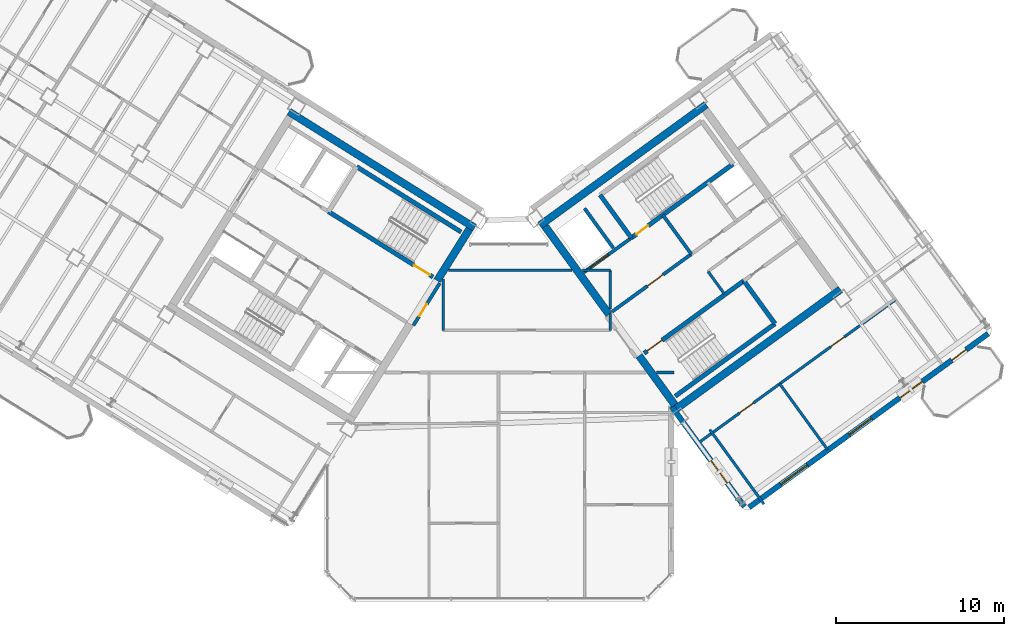
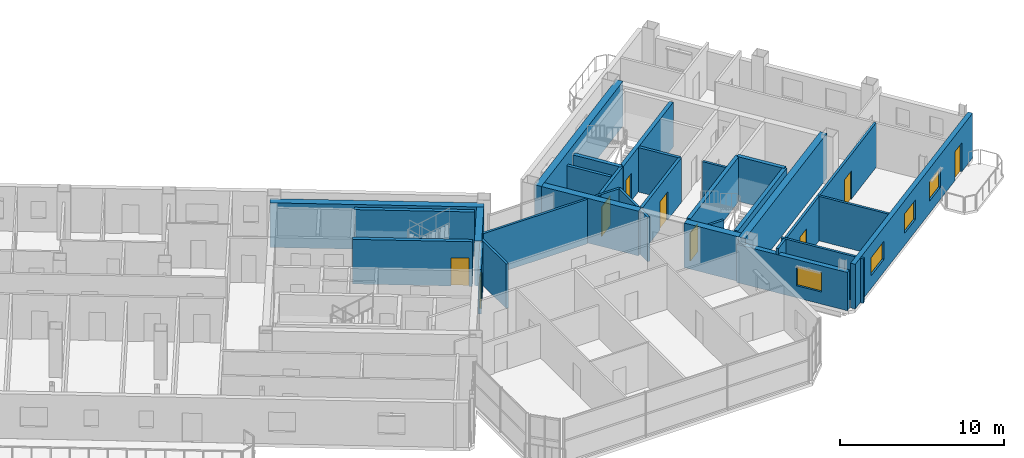
# One storey, part 19 of 27: 30 walls, 9 doors, 4 windows, 13 openings.
"""IFC4 building model written with IfcOpenShell, lengths in metres."""

from ifc_helpers import new_model, si_unit, direction, frame, frame_2d, origin, place, context, subcontext, project, spatial, rectangle, extrude, source, transform, mapped, material, layer, layer_set, type_object, element, fill, save


model = new_model("IFC4")

# Units and contexts
model_context = context("Model", 3, precision=1e-05, world=origin(), true_north=direction((0.0, 1.0)))
body_context = subcontext(model_context, "Body", "Model", "MODEL_VIEW")
ifc_project = project(units=[si_unit("LENGTHUNIT", "METRE"), si_unit("AREAUNIT", "SQUARE_METRE"), si_unit("VOLUMEUNIT", "CUBIC_METRE"), si_unit("PLANEANGLEUNIT", "RADIAN"), si_unit("MASSUNIT", "GRAM", prefix="KILO")], contexts=[model_context])

# Site, building, storey
site_placement = place(None, origin())
site = spatial("IfcSite", under=ifc_project, at=site_placement, CompositionType="ELEMENT")
building_placement = place(site_placement, origin())
building = spatial("IfcBuilding", under=site, at=building_placement, Name="Tlacorven Tower", CompositionType="ELEMENT")
storey_placement = place(building_placement, frame((0.0, 0.0, 242.10009765625)))
storey = spatial("IfcBuildingStorey", under=building, at=storey_placement, Name="L61", CompositionType="ELEMENT", Elevation=242.10009765625)

# Walls
ifc_material_1 = material(Name="Concrete C50/60", Category="concrete")
ifc_layer_1 = layer(ifc_material_1, 0.449951171875)
ifc_layer_set_1 = layer_set([ifc_layer_1], Name="Concrete C50/60")
wall_type_1 = type_object("IfcWallType", Name="WL-COR-450", PredefinedType="SHEAR", material=ifc_layer_set_1)
wall_1_placement = place(storey_placement, frame((40.53076171875, 24.036376953125, 0.0), z_axis=(0.0, 0.0, 1.0), x_axis=(-0.848048787466, 0.529918157905, 0.0)))
element("IfcWall", 1, at=wall_1_placement, inside=storey, type_object=wall_type_1, Name="L61 W core shear wall S1", PredefinedType="SHEAR", context=body_context, shape_type="SweptSolid", body=[
    extrude(rectangle(XDim=13.0400390625, YDim=0.449951171875, at=frame_2d((6.52001953125, 0.0))), origin(), (0.0, 0.0, 1.0), 3.31982421875),
])
wall_2_placement = place(storey_placement, frame((40.220703125, 23.96484375, 0.0), z_axis=(0.0, 0.0, 1.0), x_axis=(-0.529902075036, -0.848058836916, 0.0)))
element("IfcWall", 2, at=wall_2_placement, inside=storey, type_object=wall_type_1, Name="L61 W core end wall E1.1", PredefinedType="SHEAR", context=body_context, shape_type="SweptSolid", body=[
    extrude(rectangle(XDim=3.625, YDim=0.449951171875, at=frame_2d((1.8125, 0.0))), origin(), (0.0, 0.0, 1.0), 3.31982421875),
])
for number, where, z_axis, x_axis, name in (
    (3, (52.3994140625, 13.169189453125, 0.0), (0.0, 0.0, 1.0), (0.809022352778, 0.587777877013, 0.0), "L61 E core shear wall S1"),
    (4, (44.405517578125, 24.171630859375, 0.0), (0.0, 0.0, 1.0), (0.809012867805, 0.587790931986, 0.0), "L61 E core shear wall S2"),
):
    element("IfcWall", number, at=place(storey_placement, frame(where, z_axis=z_axis, x_axis=x_axis)), inside=storey, type_object=wall_type_1, Name=name, PredefinedType="SHEAR", context=body_context, shape_type="SweptSolid", body=[
        extrude(rectangle(XDim=12.239990234375, YDim=0.449951171875, at=frame_2d((6.1201171875, 0.0))), origin(), (0.0, 0.0, 1.0), 3.31982421875),
    ])
wall_3_placement = place(storey_placement, frame((52.44921875, 13.4833984375, 0.0), z_axis=(0.0, 0.0, 1.0), x_axis=(-0.587819244441, 0.808992296542, 0.0)))
element("IfcWall", 5, at=wall_3_placement, inside=storey, type_object=wall_type_1, Name="L61 E core end wall E1.1", PredefinedType="SHEAR", context=body_context, shape_type="SweptSolid", body=[
    extrude(rectangle(XDim=3.625, YDim=0.449951171875, at=frame_2d((1.8125, 0.0))), origin(), (0.0, 0.0, 1.0), 3.31982421875),
])
wall_4_placement = place(storey_placement, frame((48.525634765625, 18.883544921875, 0.0), z_axis=(0.0, 0.0, 1.0), x_axis=(-0.587774812919, 0.809024578921, 0.0)))
element("IfcWall", 6, at=wall_4_placement, inside=storey, type_object=wall_type_1, Name="L61 E core end wall E1.2", PredefinedType="SHEAR", context=body_context, shape_type="SweptSolid", body=[
    extrude(rectangle(XDim=6.47509765625, YDim=0.449951171875, at=frame_2d((3.237548828125, 0.0))), origin(), (0.0, 0.0, 1.0), 3.31982421875),
])
ifc_material_2 = material(Name="Gypsum plasterboard acoustic partition", Category="gypsum")
ifc_layer_2 = layer(ifc_material_2, 0.159912109375)
ifc_layer_set_2 = layer_set([ifc_layer_2], Name="Gypsum plasterboard acoustic partition")
wall_type_2 = type_object("IfcWallType", Name="WL-DEM-160", PredefinedType="PARTITIONING", material=ifc_layer_set_2)
wall_5_placement = place(storey_placement, frame((55.390869140625, 20.1015625, 0.0), z_axis=(0.0, 0.0, 1.0), x_axis=(-0.58778447739, 0.809017557374, 0.0)))
element("IfcWall", 7, at=wall_5_placement, inside=storey, type_object=wall_type_2, Name="L61 partition 32", PredefinedType="PARTITIONING", context=body_context, shape_type="SweptSolid", body=[
    extrude(rectangle(XDim=1.64990234375, YDim=0.159912109375, at=frame_2d((0.824951171875, 0.0))), origin(), (0.0, 0.0, 1.0), 3.309814453125),
])
wall_6_placement = place(storey_placement, frame((51.353515625, 15.419921875, 0.0), z_axis=(0.0, 0.0, 1.0), x_axis=(1.0, 0.0, 0.0)))
element("IfcWall", 8, at=wall_6_placement, inside=storey, type_object=wall_type_2, Name="L61 Knuckle Corridor South Wall", PredefinedType="PARTITIONING", context=body_context, shape_type="SweptSolid", body=[
    extrude(rectangle(XDim=1.04638671875, YDim=0.159912109375, at=frame_2d((0.523193359375, 0.0))), origin(), (0.0, 0.0, 1.0), 3.309814453125),
])
wall_7_placement = place(storey_placement, frame((38.64990234375, 17.929931640625, 0.0), z_axis=(0.0, 0.0, 1.0), x_axis=(0.0, 1.0, 0.0)))
element("IfcWall", 9, at=wall_7_placement, inside=storey, type_object=wall_type_2, Name="L61 partition 66", PredefinedType="PARTITIONING", context=body_context, shape_type="SweptSolid", body=[
    extrude(rectangle(XDim=3.045654296875, YDim=0.159912109375, at=frame_2d((1.52294921875, 0.0))), origin(), (0.0, 0.0, 1.0), 3.309814453125),
])
wall_8_placement = place(storey_placement, frame((48.60009765625, 17.929931640625, 0.0), z_axis=(0.0, 0.0, 1.0), x_axis=(0.0, 1.0, 0.0)))
element("IfcWall", 10, at=wall_8_placement, inside=storey, type_object=wall_type_2, Name="L61 partition 67", PredefinedType="PARTITIONING", context=body_context, shape_type="SweptSolid", body=[
    extrude(rectangle(XDim=0.99267578125, YDim=0.159912109375, at=frame_2d((0.496337890625, 0.0))), origin(), (0.0, 0.0, 1.0), 3.309814453125),
])
wall_9_placement = place(storey_placement, frame((48.60009765625, 19.2099609375, 0.0), z_axis=(0.0, 0.0, 1.0), x_axis=(0.0, 1.0, 0.0)))
element("IfcWall", 11, at=wall_9_placement, inside=storey, type_object=wall_type_2, Name="L61 partition 67", PredefinedType="PARTITIONING", context=body_context, shape_type="SweptSolid", body=[
    extrude(rectangle(XDim=2.2900390625, YDim=0.159912109375, at=frame_2d((1.14501953125, 0.0))), origin(), (0.0, 0.0, 1.0), 3.309814453125),
])
wall_10_placement = place(storey_placement, frame((38.9775390625, 21.5, 0.0), z_axis=(0.0, 0.0, 1.0), x_axis=(1.0, 0.0, 0.0)))
element("IfcWall", 12, at=wall_10_placement, inside=storey, type_object=wall_type_2, Name="L61 partition 68", PredefinedType="PARTITIONING", context=body_context, shape_type="SweptSolid", body=[
    extrude(rectangle(XDim=7.335693359375, YDim=0.159912109375, at=frame_2d((3.66796875, 0.0))), origin(), (0.0, 0.0, 1.0), 3.309814453125),
])
wall_11_placement = place(storey_placement, frame((46.936279296875, 21.5, 0.0), z_axis=(0.0, 0.0, 1.0), x_axis=(1.0, 0.0, 0.0)))
element("IfcWall", 13, at=wall_11_placement, inside=storey, type_object=wall_type_2, Name="L61 partition 68", PredefinedType="PARTITIONING", context=body_context, shape_type="SweptSolid", body=[
    extrude(rectangle(XDim=1.663818359375, YDim=0.159912109375, at=frame_2d((0.83203125, 0.0))), origin(), (0.0, 0.0, 1.0), 3.309814453125),
])

# Wall, openings, doors
wall_12_placement = place(storey_placement, frame((53.70458984375, 11.1259765625, 0.0), z_axis=(0.0, 0.0, 1.0), x_axis=(0.809014504436, 0.587788679384, 0.0)))
wall_12 = element("IfcWall", 14, at=wall_12_placement, inside=storey, type_object=wall_type_2, Name="L61 partition 88", PredefinedType="PARTITIONING", context=body_context, shape_type="SweptSolid", body=[
    extrude(rectangle(XDim=14.669921875, YDim=0.159912109375, at=frame_2d((7.3349609375, 0.0))), origin(), (0.0, 0.0, 1.0), 3.309814453125),
])
opening_1_placement = place(wall_12_placement, frame((3.215087890625, 0.0, 0.0)))
opening_1 = element("IfcOpeningElement", 15, at=opening_1_placement, cuts=wall_12, Name="Opening D11", PredefinedType="OPENING", context=body_context, shape_type="SweptSolid", body=[
    extrude(rectangle(XDim=1.0, YDim=2.10009765625, at=frame_2d((0.5, 1.050048828125))), frame((0.0, 0.08984375, 0.0), z_axis=(0.0, -1.0, 0.0), x_axis=(1.0, 0.0, 0.0)), (0.0, 0.0, 1.0), 0.179931640625),
])
opening_2_placement = place(wall_12_placement, frame((9.9150390625, 0.0, 0.0)))
opening_2 = element("IfcOpeningElement", 16, at=opening_2_placement, cuts=wall_12, Name="Opening D11", PredefinedType="OPENING", context=body_context, shape_type="SweptSolid", body=[
    extrude(rectangle(XDim=1.0, YDim=2.10009765625, at=frame_2d((0.5, 1.050048828125))), frame((0.0, 0.08984375, 0.0), z_axis=(0.0, -1.0, 0.0), x_axis=(1.0, 0.0, 0.0)), (0.0, 0.0, 1.0), 0.179931640625),
])
ifc_material_3 = material(Name="Fire-rated steel door assembly", Category="steel")
door_type_1 = type_object("IfcDoorType", Name="DR-FLT-FD60-1000", OperationType="NOTDEFINED", PredefinedType="DOOR", material=ifc_material_3)
shared_shape_1 = source(origin(), body_context, "Body", "SweptSolid", [
    extrude(rectangle(XDim=1.0, YDim=2.10009765625, at=frame_2d((0.5, 1.050048828125))), frame((0.0, 0.02490234375, 0.0), z_axis=(0.0, -1.0, 0.0), x_axis=(1.0, 0.0, 0.0)), (0.0, 0.0, 1.0), 0.050048828125),
])
door_1_placement = place(opening_1_placement, origin())
door_1 = element("IfcDoor", 17, at=door_1_placement, inside=storey, type_object=door_type_1, Name="L61 door 060", OperationType="SINGLE_SWING_RIGHT", OverallHeight=2.10009765625, OverallWidth=1.0, PredefinedType="DOOR", context=body_context, shape_type="MappedRepresentation", body=[
    mapped(shared_shape_1, transform((0.0, 0.0, 0.0), scale=1.0)),
])
fill(opening_1, door_1)
door_2_placement = place(opening_2_placement, origin())
door_2 = element("IfcDoor", 18, at=door_2_placement, inside=storey, type_object=door_type_1, Name="L61 door 061", OperationType="SINGLE_SWING_LEFT", OverallHeight=2.10009765625, OverallWidth=1.0, PredefinedType="DOOR", context=body_context, shape_type="MappedRepresentation", body=[
    mapped(shared_shape_1, transform((0.0, 0.0, 0.0), scale=1.0)),
])
fill(opening_2, door_2)

# Walls
wall_13_placement = place(storey_placement, frame((57.747314453125, 7.586181640625, 0.0), z_axis=(0.0, 0.0, 1.0), x_axis=(-0.587784893399, 0.809017255126, 0.0)))
element("IfcWall", 19, at=wall_13_placement, inside=storey, type_object=wall_type_2, Name="L61 EC West Throat Wall", PredefinedType="PARTITIONING", context=body_context, shape_type="SweptSolid", body=[
    extrude(rectangle(XDim=5.480224609375, YDim=0.159912109375, at=frame_2d((2.740234375, 0.0))), origin(), (0.0, 0.0, 1.0), 3.309814453125),
])
wall_14_placement = place(storey_placement, frame((61.538818359375, 10.822998046875, 0.0), z_axis=(0.0, 0.0, 1.0), x_axis=(-0.587785532001, 0.809016791155, 0.0)))
element("IfcWall", 20, at=wall_14_placement, inside=storey, type_object=wall_type_2, Name="L61 EC Demising Wall 1", PredefinedType="PARTITIONING", context=body_context, shape_type="SweptSolid", body=[
    extrude(rectangle(XDim=4.85009765625, YDim=0.159912109375, at=frame_2d((2.425048828125, 0.0))), origin(), (0.0, 0.0, 1.0), 3.309814453125),
])

# Wall, openings, door, windows
ifc_material_4 = material(Name="Precast concrete C45/55", Category="concrete")
ifc_layer_3 = layer(ifc_material_4, 0.320068359375)
ifc_layer_set_3 = layer_set([ifc_layer_3], Name="Precast concrete C45/55")
wall_type_3 = type_object("IfcWallType", Name="WL-EXT-320", PredefinedType="STANDARD", material=ifc_layer_set_3)
wall_15_placement = place(storey_placement, frame((71.097900390625, 17.73095703125, 0.0), z_axis=(0.0, 0.0, 1.0), x_axis=(-0.809021120468, -0.587779573171, 0.0)))
wall_15 = element("IfcWall", 21, at=wall_15_placement, inside=storey, type_object=wall_type_3, Name="L61 Masonry-Frame Recessed Facade Wall 6", PredefinedType="STANDARD", context=body_context, shape_type="SweptSolid", body=[
    extrude(rectangle(XDim=17.587646484375, YDim=0.320068359375, at=frame_2d((8.7939453125, 0.0))), origin(), (0.0, 0.0, 1.0), 3.31982421875),
])
opening_3_placement = place(wall_15_placement, frame((1.623779296875, 0.0, 0.0)))
opening_3 = element("IfcOpeningElement", 22, at=opening_3_placement, cuts=wall_15, Name="Opening D06", PredefinedType="OPENING", context=body_context, shape_type="SweptSolid", body=[
    extrude(rectangle(XDim=1.050048828125, YDim=2.14990234375, at=frame_2d((0.52490234375, 1.074951171875))), frame((0.0, 0.169921875, 0.0), z_axis=(0.0, -1.0, 0.0), x_axis=(1.0, 0.0, 0.0)), (0.0, 0.0, 1.0), 0.340087890625),
])
opening_4_placement = place(wall_15_placement, frame((4.851318359375, 0.0, 0.89990234375)))
opening_4 = element("IfcOpeningElement", 23, at=opening_4_placement, cuts=wall_15, Name="Opening WN07", PredefinedType="OPENING", context=body_context, shape_type="SweptSolid", body=[
    extrude(rectangle(XDim=1.64990234375, YDim=1.449951171875, at=frame_2d((0.824951171875, 0.72509765625))), frame((0.0, 0.169921875, 0.0), z_axis=(0.0, -1.0, 0.0), x_axis=(1.0, 0.0, 0.0)), (0.0, 0.0, 1.0), 0.340087890625),
])
opening_5_placement = place(wall_15_placement, frame((8.576171875, 0.0, 0.89990234375)))
opening_5 = element("IfcOpeningElement", 24, at=opening_5_placement, cuts=wall_15, Name="Opening WN07", PredefinedType="OPENING", context=body_context, shape_type="SweptSolid", body=[
    extrude(rectangle(XDim=1.64990234375, YDim=1.449951171875, at=frame_2d((0.824951171875, 0.72509765625))), frame((0.0, 0.169921875, 0.0), z_axis=(0.0, -1.0, 0.0), x_axis=(1.0, 0.0, 0.0)), (0.0, 0.0, 1.0), 0.340087890625),
])
opening_6_placement = place(wall_15_placement, frame((13.3037109375, 0.0, 0.949951171875)))
opening_6 = element("IfcOpeningElement", 25, at=opening_6_placement, cuts=wall_15, Name="Opening WN09", PredefinedType="OPENING", context=body_context, shape_type="SweptSolid", body=[
    extrude(rectangle(XDim=1.949951171875, YDim=1.35009765625, at=frame_2d((0.97509765625, 0.675048828125))), frame((0.0, 0.169921875, 0.0), z_axis=(0.0, -1.0, 0.0), x_axis=(1.0, 0.0, 0.0)), (0.0, 0.0, 1.0), 0.340087890625),
])
ifc_material_5 = material(Name="Powder-coated aluminium and timber door", Category="wood")
door_type_2 = type_object("IfcDoorType", Name="DR-EXT-BALC-1050", OperationType="NOTDEFINED", PredefinedType="DOOR", material=ifc_material_5)
shared_shape_2 = source(origin(), body_context, "Body", "SweptSolid", [
    extrude(rectangle(XDim=1.050048828125, YDim=2.14990234375, at=frame_2d((0.52490234375, 1.074951171875))), frame((0.0, 0.02490234375, 0.0), z_axis=(0.0, -1.0, 0.0), x_axis=(1.0, 0.0, 0.0)), (0.0, 0.0, 1.0), 0.050048828125),
])
door_3_placement = place(opening_3_placement, origin())
door_3 = element("IfcDoor", 26, at=door_3_placement, inside=storey, type_object=door_type_2, Name="L61 Outdoor Access Door BAL-L61-E-OUT", OperationType="SINGLE_SWING_LEFT", OverallHeight=2.14990234375, OverallWidth=1.050048828125, PredefinedType="DOOR", context=body_context, shape_type="MappedRepresentation", body=[
    mapped(shared_shape_2, transform((0.0, 0.0, 0.0), scale=1.0)),
])
fill(opening_3, door_3)
ifc_material_6 = material(Name="Dark solar low-E double glazing in anodised aluminium frame", Category="aluminium")
window_type_1 = type_object("IfcWindowType", Name="WN-APT-1650X1600", PartitioningType="SINGLE_PANEL", PredefinedType="WINDOW", material=ifc_material_6)
shared_shape_3 = source(origin(), body_context, "Body", "SweptSolid", [
    extrude(rectangle(XDim=1.64990234375, YDim=1.449951171875, at=frame_2d((0.824951171875, 0.72509765625))), frame((0.0, 0.030029296875, 0.0), z_axis=(0.0, -1.0, 0.0), x_axis=(1.0, 0.0, 0.0)), (0.0, 0.0, 1.0), 0.06005859375),
])
window_1_placement = place(opening_4_placement, origin())
window_1 = element("IfcWindow", 27, at=window_1_placement, inside=storey, type_object=window_type_1, Name="L61 Recessed Masonry-Frame Window L61-06.1", OverallHeight=1.449951171875, OverallWidth=1.64990234375, PartitioningType="SINGLE_PANEL", PredefinedType="WINDOW", context=body_context, shape_type="MappedRepresentation", body=[
    mapped(shared_shape_3, transform((0.0, 0.0, 0.0), scale=1.0)),
])
fill(opening_4, window_1)
window_2_placement = place(opening_5_placement, origin())
window_2 = element("IfcWindow", 28, at=window_2_placement, inside=storey, type_object=window_type_1, Name="L61 Recessed Masonry-Frame Window L61-06.2", OverallHeight=1.449951171875, OverallWidth=1.64990234375, PartitioningType="SINGLE_PANEL", PredefinedType="WINDOW", context=body_context, shape_type="MappedRepresentation", body=[
    mapped(shared_shape_3, transform((0.0, 0.0, 0.0), scale=1.0)),
])
fill(opening_5, window_2)
window_type_2 = type_object("IfcWindowType", Name="WN-GAL-1950X1450", PartitioningType="SINGLE_PANEL", PredefinedType="WINDOW", material=ifc_material_6)
shared_shape_4 = source(origin(), body_context, "Body", "SweptSolid", [
    extrude(rectangle(XDim=1.949951171875, YDim=1.35009765625, at=frame_2d((0.97509765625, 0.675048828125))), frame((0.0, 0.030029296875, 0.0), z_axis=(0.0, -1.0, 0.0), x_axis=(1.0, 0.0, 0.0)), (0.0, 0.0, 1.0), 0.06005859375),
])
window_3_placement = place(opening_6_placement, origin())
window_3 = element("IfcWindow", 29, at=window_3_placement, inside=storey, type_object=window_type_2, Name="L61 Recessed Masonry-Frame Window L61-06.3", OverallHeight=1.35009765625, OverallWidth=1.949951171875, PartitioningType="SINGLE_PANEL", PredefinedType="WINDOW", context=body_context, shape_type="MappedRepresentation", body=[
    mapped(shared_shape_4, transform((0.0, 0.0, 0.0), scale=1.0)),
])
fill(opening_6, window_3)

# Wall, opening, window
wall_16_placement = place(storey_placement, frame((56.5810546875, 7.43896484375, 0.0), z_axis=(0.0, 0.0, 1.0), x_axis=(-0.587776558368, 0.809023310809, 0.0)))
wall_16 = element("IfcWall", 30, at=wall_16_placement, inside=storey, type_object=wall_type_3, Name="L61 Masonry-Frame Recessed Facade Wall 7", PredefinedType="STANDARD", context=body_context, shape_type="SweptSolid", body=[
    extrude(rectangle(XDim=7.385498046875, YDim=0.320068359375, at=frame_2d((3.69287109375, 0.0))), origin(), (0.0, 0.0, 1.0), 2.844970703125),
])
opening_7_placement = place(wall_16_placement, frame((1.731201171875, 0.0, 0.89990234375)))
opening_7 = element("IfcOpeningElement", 31, at=opening_7_placement, cuts=wall_16, Name="Opening WN07", PredefinedType="OPENING", context=body_context, shape_type="SweptSolid", body=[
    extrude(rectangle(XDim=1.64990234375, YDim=1.449951171875, at=frame_2d((0.824951171875, 0.72509765625))), frame((0.0, 0.169921875, 0.0), z_axis=(0.0, -1.0, 0.0), x_axis=(1.0, 0.0, 0.0)), (0.0, 0.0, 1.0), 0.340087890625),
])
window_4_placement = place(opening_7_placement, origin())
window_4 = element("IfcWindow", 32, at=window_4_placement, inside=storey, type_object=window_type_1, Name="L61 Recessed Masonry-Frame Window L61-07.1", OverallHeight=1.449951171875, OverallWidth=1.64990234375, PartitioningType="SINGLE_PANEL", PredefinedType="WINDOW", context=body_context, shape_type="MappedRepresentation", body=[
    mapped(shared_shape_3, transform((0.0, 0.0, 0.0), scale=1.0)),
])
fill(opening_7, window_4)

# Wall, opening, door
ifc_material_7 = material(Name="Concrete C40/50", Category="concrete")
ifc_layer_4 = layer(ifc_material_7, 0.199951171875)
ifc_layer_set_4 = layer_set([ifc_layer_4], Name="Concrete C40/50")
wall_type_4 = type_object("IfcWallType", Name="WL-SHF-200", PredefinedType="STANDARD", material=ifc_layer_set_4)
wall_17_placement = place(storey_placement, frame((47.02490234375, 21.3779296875, 0.0), z_axis=(0.0, 0.0, 1.0), x_axis=(0.809052869724, 0.587735870941, 0.0)))
wall_17 = element("IfcWall", 33, at=wall_17_placement, inside=storey, type_object=wall_type_4, Name="L61 Core E Firefighting Lift Shaft Front Wall", PredefinedType="STANDARD", context=body_context, shape_type="SweptSolid", body=[
    extrude(rectangle(XDim=3.498046875, YDim=0.199951171875, at=frame_2d((1.7490234375, 0.0))), origin(), (0.0, 0.0, 1.0), 3.309814453125),
])
opening_8_placement = place(wall_17_placement, frame((0.508056640625, 0.0, 0.0)))
opening_8 = element("IfcOpeningElement", 34, at=opening_8_placement, cuts=wall_17, Name="Opening LD03", PredefinedType="OPENING", context=body_context, shape_type="SweptSolid", body=[
    extrude(rectangle(XDim=1.300048828125, YDim=2.199951171875, at=frame_2d((0.64990234375, 1.10009765625))), frame((0.0, 0.10986328125, 0.0), z_axis=(0.0, -1.0, 0.0), x_axis=(1.0, 0.0, 0.0)), (0.0, 0.0, 1.0), 0.219970703125),
])
door_type_3 = type_object("IfcDoorType", Name="DR-LFT-SLID-1300", OperationType="DOUBLE_DOOR_SLIDING", PredefinedType="DOOR", material=ifc_material_3)
shared_shape_5 = source(origin(), body_context, "Body", "SweptSolid", [
    extrude(rectangle(XDim=1.300048828125, YDim=2.199951171875, at=frame_2d((0.64990234375, 1.10009765625))), frame((0.0, 0.02490234375, 0.0), z_axis=(0.0, -1.0, 0.0), x_axis=(1.0, 0.0, 0.0)), (0.0, 0.0, 1.0), 0.050048828125),
])
door_4_placement = place(opening_8_placement, origin())
door_4 = element("IfcDoor", 35, at=door_4_placement, inside=storey, type_object=door_type_3, Name="L61 Lift FFL-E1 Sliding Landing Door", OperationType="DOUBLE_DOOR_SLIDING", OverallHeight=2.199951171875, OverallWidth=1.300048828125, PredefinedType="DOOR", context=body_context, shape_type="MappedRepresentation", body=[
    mapped(shared_shape_5, transform((0.0, 0.0, 0.0), scale=1.0)),
])
fill(opening_8, door_4)

wall_18_placement = place(storey_placement, frame((48.7177734375, 19.0478515625, 0.0), z_axis=(0.0, 0.0, 1.0), x_axis=(0.809017261719, 0.587784884325, 0.0)))
wall_18 = element("IfcWall", 36, at=wall_18_placement, inside=storey, type_object=wall_type_4, Name="L61 Core E Smoke Lobby Wall", PredefinedType="STANDARD", context=body_context, shape_type="SweptSolid", body=[
    extrude(rectangle(XDim=5.81787109375, YDim=0.199951171875, at=frame_2d((2.908935546875, 0.0))), origin(), (0.0, 0.0, 1.0), 3.309814453125),
])
opening_9_placement = place(wall_18_placement, frame((2.597900390625, 0.0, 0.0)))
opening_9 = element("IfcOpeningElement", 37, at=opening_9_placement, cuts=wall_18, Name="Opening D09", PredefinedType="OPENING", context=body_context, shape_type="SweptSolid", body=[
    extrude(rectangle(XDim=1.14990234375, YDim=2.10009765625, at=frame_2d((0.574951171875, 1.050048828125))), frame((0.0, 0.10986328125, 0.0), z_axis=(0.0, -1.0, 0.0), x_axis=(1.0, 0.0, 0.0)), (0.0, 0.0, 1.0), 0.219970703125),
])
door_type_4 = type_object("IfcDoorType", Name="DR-FFL-FD60-1150", OperationType="NOTDEFINED", PredefinedType="DOOR", material=ifc_material_3)
shared_shape_6 = source(origin(), body_context, "Body", "SweptSolid", [
    extrude(rectangle(XDim=1.14990234375, YDim=2.10009765625, at=frame_2d((0.574951171875, 1.050048828125))), frame((0.0, 0.02490234375, 0.0), z_axis=(0.0, -1.0, 0.0), x_axis=(1.0, 0.0, 0.0)), (0.0, 0.0, 1.0), 0.050048828125),
])
door_5_placement = place(opening_9_placement, origin())
door_5 = element("IfcDoor", 38, at=door_5_placement, inside=storey, type_object=door_type_4, Name="L61 Firefighting Lobby E Fire Door", OperationType="SINGLE_SWING_RIGHT", OverallHeight=2.10009765625, OverallWidth=1.14990234375, PredefinedType="DOOR", context=body_context, shape_type="MappedRepresentation", body=[
    mapped(shared_shape_6, transform((0.0, 0.0, 0.0), scale=1.0)),
])
fill(opening_9, door_5)

# Walls
wall_19_placement = place(storey_placement, frame((48.78564453125, 22.830078125, 0.0), z_axis=(0.0, 0.0, 1.0), x_axis=(-0.587783856777, 0.809018008275, 0.0)))
element("IfcWall", 39, at=wall_19_placement, inside=storey, type_object=wall_type_4, Name="L61 partition 33", PredefinedType="STANDARD", context=body_context, shape_type="SweptSolid", body=[
    extrude(rectangle(XDim=2.919921875, YDim=0.199951171875, at=frame_2d((1.4599609375, 0.0))), origin(), (0.0, 0.0, 1.0), 3.309814453125),
])
wall_20_placement = place(storey_placement, frame((53.424560546875, 22.467529296875, 0.0), z_axis=(0.0, 0.0, 1.0), x_axis=(-0.5877230039, 0.809062216821, 0.0)))
element("IfcWall", 40, at=wall_20_placement, inside=storey, type_object=wall_type_4, Name="L61 partition 34", PredefinedType="STANDARD", context=body_context, shape_type="SweptSolid", body=[
    extrude(rectangle(XDim=2.8798828125, YDim=0.199951171875, at=frame_2d((1.43994140625, 0.0))), origin(), (0.0, 0.0, 1.0), 3.309814453125),
])

# Wall, opening, door
wall_21_placement = place(storey_placement, frame((38.451416015625, 20.737060546875, 0.0), z_axis=(0.0, 0.0, 1.0), x_axis=(-0.529924799939, -0.848044637038, 0.0)))
wall_21 = element("IfcWall", 41, at=wall_21_placement, inside=storey, type_object=wall_type_4, Name="L61 partition 63", PredefinedType="STANDARD", context=body_context, shape_type="SweptSolid", body=[
    extrude(rectangle(XDim=2.9599609375, YDim=0.199951171875, at=frame_2d((1.47998046875, 0.0))), origin(), (0.0, 0.0, 1.0), 3.309814453125),
])
opening_10_placement = place(wall_21_placement, frame((1.4599609375, 0.0, 0.0)))
opening_10 = element("IfcOpeningElement", 42, at=opening_10_placement, cuts=wall_21, Name="Opening D19", PredefinedType="OPENING", context=body_context, shape_type="SweptSolid", body=[
    extrude(rectangle(XDim=0.860107421875, YDim=2.050048828125, at=frame_2d((0.43017578125, 1.02490234375))), frame((0.0, 0.10986328125, 0.0), z_axis=(0.0, -1.0, 0.0), x_axis=(1.0, 0.0, 0.0)), (0.0, 0.0, 1.0), 0.219970703125),
])
door_type_5 = type_object("IfcDoorType", Name="DR-RSR-FD60-0860", OperationType="NOTDEFINED", PredefinedType="DOOR", material=ifc_material_3)
shared_shape_7 = source(origin(), body_context, "Body", "SweptSolid", [
    extrude(rectangle(XDim=0.860107421875, YDim=2.050048828125, at=frame_2d((0.43017578125, 1.02490234375))), frame((0.0, 0.02490234375, 0.0), z_axis=(0.0, -1.0, 0.0), x_axis=(1.0, 0.0, 0.0)), (0.0, 0.0, 1.0), 0.050048828125),
])
door_6_placement = place(opening_10_placement, frame((0.860107421875, 0.0, 0.0), z_axis=(0.0, 0.0, 1.0), x_axis=(-1.0, 0.0, 0.0)))
door_6 = element("IfcDoor", 43, at=door_6_placement, inside=storey, type_object=door_type_5, Name="L61 door 043", OperationType="SINGLE_SWING_LEFT", OverallHeight=2.050048828125, OverallWidth=0.860107421875, PredefinedType="DOOR", context=body_context, shape_type="MappedRepresentation", body=[
    mapped(shared_shape_7, transform((0.0, 0.0, 0.0), scale=1.0)),
])
fill(opening_10, door_6)

# Wall
ifc_layer_5 = layer(ifc_material_1, 0.260009765625)
ifc_layer_set_5 = layer_set([ifc_layer_5], Name="Concrete C50/60")
wall_type_5 = type_object("IfcWallType", Name="WL-STW-260", PredefinedType="SHEAR", material=ifc_layer_set_5)
wall_22_placement = place(storey_placement, frame((39.720947265625, 23.787841796875, 0.0), z_axis=(0.0, 0.0, 1.0), x_axis=(-0.848054434086, 0.529909121291, 0.0)))
element("IfcWall", 44, at=wall_22_placement, inside=storey, type_object=wall_type_5, Name="L61 Stair W2 Far Shear Wall", PredefinedType="SHEAR", context=body_context, shape_type="SweptSolid", body=[
    extrude(rectangle(XDim=7.330078125, YDim=0.260009765625, at=frame_2d((3.6650390625, 0.0))), origin(), (0.0, 0.0, 1.0), 3.31982421875),
])

# Wall, opening, door
wall_23_placement = place(storey_placement, frame((38.04638671875, 21.10791015625, 0.0), z_axis=(0.0, 0.0, 1.0), x_axis=(-0.848054434086, 0.529909121291, 0.0)))
wall_23 = element("IfcWall", 45, at=wall_23_placement, inside=storey, type_object=wall_type_5, Name="L61 Stair W2 Lobby Shear Wall", PredefinedType="SHEAR", context=body_context, shape_type="SweptSolid", body=[
    extrude(rectangle(XDim=7.330078125, YDim=0.260009765625, at=frame_2d((3.6650390625, 0.0))), origin(), (0.0, 0.0, 1.0), 3.31982421875),
])
opening_11_placement = place(wall_23_placement, frame((0.219970703125, 0.0, 0.0)))
opening_11 = element("IfcOpeningElement", 46, at=opening_11_placement, cuts=wall_23, Name="Opening D07", PredefinedType="OPENING", context=body_context, shape_type="SweptSolid", body=[
    extrude(rectangle(XDim=1.10009765625, YDim=2.10009765625, at=frame_2d((0.550048828125, 1.050048828125))), frame((0.0, 0.14013671875, 0.0), z_axis=(0.0, -1.0, 0.0), x_axis=(1.0, 0.0, 0.0)), (0.0, 0.0, 1.0), 0.280029296875),
])
door_type_6 = type_object("IfcDoorType", Name="DR-STR-FD90-1100", OperationType="NOTDEFINED", PredefinedType="DOOR", material=ifc_material_3)
shared_shape_8 = source(origin(), body_context, "Body", "SweptSolid", [
    extrude(rectangle(XDim=1.10009765625, YDim=2.10009765625, at=frame_2d((0.550048828125, 1.050048828125))), frame((0.0, 0.02490234375, 0.0), z_axis=(0.0, -1.0, 0.0), x_axis=(1.0, 0.0, 0.0)), (0.0, 0.0, 1.0), 0.050048828125),
])
door_7_placement = place(opening_11_placement, origin())
door_7 = element("IfcDoor", 47, at=door_7_placement, inside=storey, type_object=door_type_6, Name="L61 Exit Stair W2 Fire Door", OperationType="SINGLE_SWING_RIGHT", OverallHeight=2.10009765625, OverallWidth=1.10009765625, PredefinedType="DOOR", context=body_context, shape_type="MappedRepresentation", body=[
    mapped(shared_shape_8, transform((0.0, 0.0, 0.0), scale=1.0)),
])
fill(opening_11, door_7)

wall_24_placement = place(storey_placement, frame((49.863037109375, 23.439697265625, 0.0), z_axis=(0.0, 0.0, 1.0), x_axis=(0.809003474932, 0.587803859759, 0.0)))
wall_24 = element("IfcWall", 48, at=wall_24_placement, inside=storey, type_object=wall_type_5, Name="L61 Stair E1 Lobby Shear Wall", PredefinedType="SHEAR", context=body_context, shape_type="SweptSolid", body=[
    extrude(rectangle(XDim=7.4599609375, YDim=0.260009765625, at=frame_2d((3.72998046875, 0.0))), origin(), (0.0, 0.0, 1.0), 3.31982421875),
])
opening_12_placement = place(wall_24_placement, frame((0.360107421875, 0.0, 0.0)))
opening_12 = element("IfcOpeningElement", 49, at=opening_12_placement, cuts=wall_24, Name="Opening D19", PredefinedType="OPENING", context=body_context, shape_type="SweptSolid", body=[
    extrude(rectangle(XDim=0.860107421875, YDim=2.050048828125, at=frame_2d((0.43017578125, 1.02490234375))), frame((0.0, 0.14013671875, 0.0), z_axis=(0.0, -1.0, 0.0), x_axis=(1.0, 0.0, 0.0)), (0.0, 0.0, 1.0), 0.280029296875),
])
door_8_placement = place(opening_12_placement, frame((0.860107421875, 0.0, 0.0), z_axis=(0.0, 0.0, 1.0), x_axis=(-1.0, 0.0, 0.0)))
door_8 = element("IfcDoor", 50, at=door_8_placement, inside=storey, type_object=door_type_5, Name="L61 Exit Stair E1 Fire Door", OperationType="SINGLE_SWING_LEFT", OverallHeight=2.050048828125, OverallWidth=0.860107421875, PredefinedType="DOOR", context=body_context, shape_type="MappedRepresentation", body=[
    mapped(shared_shape_7, transform((0.0, 0.0, 0.0), scale=1.0)),
])
fill(opening_12, door_8)

# Walls
wall_25_placement = place(storey_placement, frame((49.85498046875, 23.433837890625, 0.0), z_axis=(0.0, 0.0, 1.0), x_axis=(-0.58776738483, 0.809029975545, 0.0)))
element("IfcWall", 51, at=wall_25_placement, inside=storey, type_object=wall_type_5, Name="L61 Stair E1 West Shear Wall", PredefinedType="SHEAR", context=body_context, shape_type="SweptSolid", body=[
    extrude(rectangle(XDim=3.16015625, YDim=0.260009765625, at=frame_2d((1.580078125, 0.0))), origin(), (0.0, 0.0, 1.0), 3.31982421875),
])
wall_26_placement = place(storey_placement, frame((52.47216796875, 14.01318359375, 0.0), z_axis=(0.0, 0.0, 1.0), x_axis=(0.809028366311, 0.587769599847, 0.0)))
element("IfcWall", 52, at=wall_26_placement, inside=storey, type_object=wall_type_5, Name="L61 Stair E2 Far Shear Wall", PredefinedType="SHEAR", context=body_context, shape_type="SweptSolid", body=[
    extrude(rectangle(XDim=7.330078125, YDim=0.260009765625, at=frame_2d((3.6650390625, 0.0))), origin(), (0.0, 0.0, 1.0), 3.31982421875),
])

# Wall, opening, door
wall_27_placement = place(storey_placement, frame((50.61474609375, 16.569580078125, 0.0), z_axis=(0.0, 0.0, 1.0), x_axis=(0.809028366311, 0.587769599847, 0.0)))
wall_27 = element("IfcWall", 53, at=wall_27_placement, inside=storey, type_object=wall_type_5, Name="L61 Stair E2 Lobby Shear Wall", PredefinedType="SHEAR", context=body_context, shape_type="SweptSolid", body=[
    extrude(rectangle(XDim=7.330078125, YDim=0.260009765625, at=frame_2d((3.6650390625, 0.0))), origin(), (0.0, 0.0, 1.0), 3.31982421875),
])
opening_13_placement = place(wall_27_placement, frame((0.219970703125, 0.0, 0.0)))
opening_13 = element("IfcOpeningElement", 54, at=opening_13_placement, cuts=wall_27, Name="Opening D07", PredefinedType="OPENING", context=body_context, shape_type="SweptSolid", body=[
    extrude(rectangle(XDim=1.10009765625, YDim=2.10009765625, at=frame_2d((0.550048828125, 1.050048828125))), frame((0.0, 0.14013671875, 0.0), z_axis=(0.0, -1.0, 0.0), x_axis=(1.0, 0.0, 0.0)), (0.0, 0.0, 1.0), 0.280029296875),
])
door_9_placement = place(opening_13_placement, origin())
door_9 = element("IfcDoor", 55, at=door_9_placement, inside=storey, type_object=door_type_6, Name="L61 Exit Stair E2 Fire Door", OperationType="SINGLE_SWING_LEFT", OverallHeight=2.10009765625, OverallWidth=1.10009765625, PredefinedType="DOOR", context=body_context, shape_type="MappedRepresentation", body=[
    mapped(shared_shape_8, transform((0.0, 0.0, 0.0), scale=1.0)),
])
fill(opening_13, door_9)

# Wall
wall_28_placement = place(storey_placement, frame((58.410400390625, 18.327392578125, 0.0), z_axis=(0.0, 0.0, 1.0), x_axis=(-0.58776738483, 0.809029975545, 0.0)))
element("IfcWall", 56, at=wall_28_placement, inside=storey, type_object=wall_type_5, Name="L61 Stair E2 East Shear Wall", PredefinedType="SHEAR", context=body_context, shape_type="SweptSolid", body=[
    extrude(rectangle(XDim=3.16015625, YDim=0.260009765625, at=frame_2d((1.580078125, 0.0))), origin(), (0.0, 0.0, 1.0), 3.31982421875),
])

save(model, "model.ifc")
